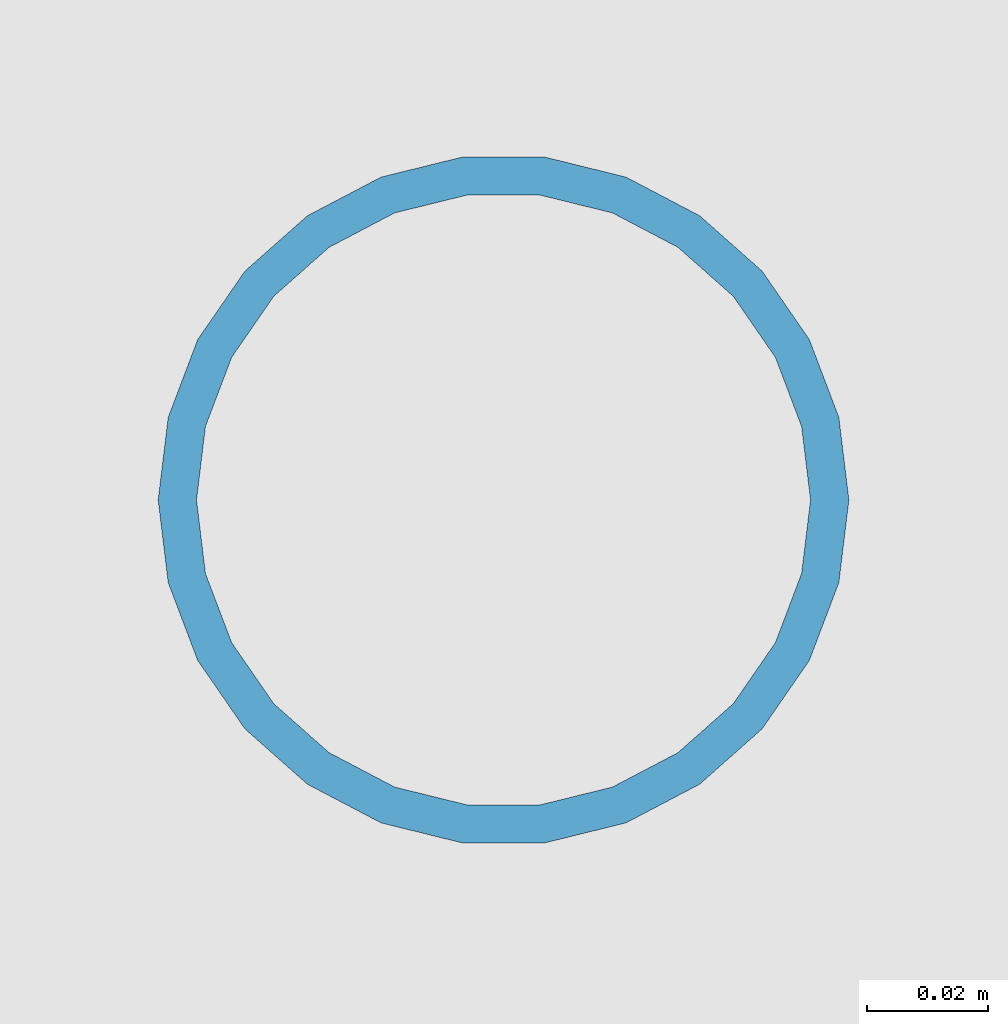
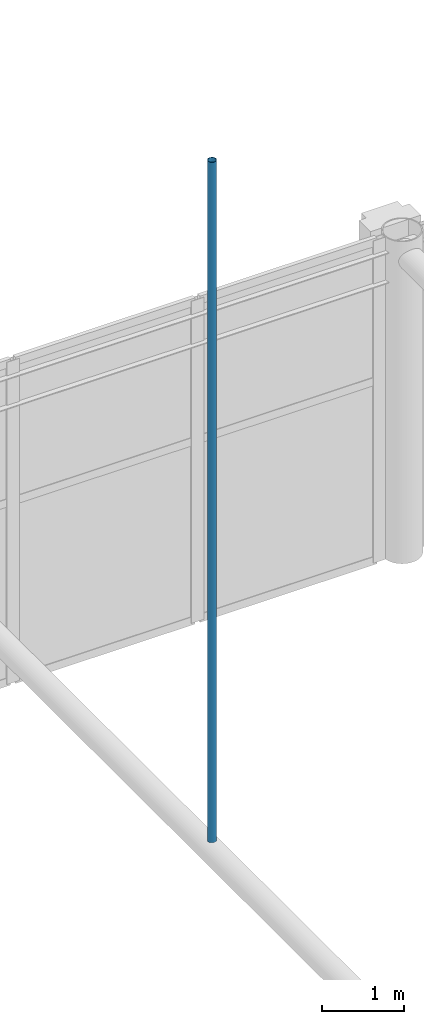
# One storey, part 84 of 167: 1 member.
"""IFC4 building model written with IfcOpenShell, lengths in metres."""

from ifc_helpers import new_model, si_unit, direction, frame, origin, origin_2d, place, context, subcontext, project, spatial, hollow_circle, extrude, material, material_profile, profile_set, type_object, element, save


model = new_model("IFC4")

# Units and contexts
model_context = context("Model", 3, precision=1e-05, world=origin(), true_north=direction((0.0, 1.0)))
body_context = subcontext(model_context, "Body", "Model", "MODEL_VIEW")
ifc_project = project(units=[si_unit("LENGTHUNIT", "METRE"), si_unit("AREAUNIT", "SQUARE_METRE"), si_unit("VOLUMEUNIT", "CUBIC_METRE"), si_unit("PLANEANGLEUNIT", "RADIAN"), si_unit("MASSUNIT", "GRAM", prefix="KILO")], contexts=[model_context])

# Site, building, storey
site_placement = place(None, origin())
site = spatial("IfcSite", under=ifc_project, at=site_placement, CompositionType="ELEMENT")
building_placement = place(site_placement, origin())
building = spatial("IfcBuilding", under=site, at=building_placement, Name="Catenary Quay Ferry Terminal", CompositionType="ELEMENT")
storey_placement = place(building_placement, frame((0.0, 0.0, 6.0)))
storey = spatial("IfcBuildingStorey", under=building, at=storey_placement, Name="L01", CompositionType="ELEMENT", Elevation=6.0)

# Member
ifc_material = material(Name="Steel S355", Category="steel")
ifc_material_profile = material_profile(ifc_material, hollow_circle(Radius=0.05712890625, WallThickness=0.00634765625, at=origin_2d()), Name="CHS 114.3x6.3")
ifc_profile_set = profile_set([ifc_material_profile], Name="Steel S355")
member_type = type_object("IfcMemberType", Name="HG1 CHS 114.3x6.3", PredefinedType="POST", material=ifc_profile_set)
member_placement = place(storey_placement, frame((67.199951171875, 132.889892578125, 4.654052734375), z_axis=(0.0, 0.0, 1.0), x_axis=(1.0, 0.0, 0.0)))
element("IfcMember", 1, at=member_placement, inside=storey, type_object=member_type, Name="Hanger VD-06-08", PredefinedType="POST", context=body_context, shape_type="SweptSolid", body=[
    extrude(hollow_circle(Radius=0.05712890625, WallThickness=0.00634765625, at=origin_2d()), origin(), (0.0, 0.0, 1.0), 10.137939453125),
])

save(model, "model.ifc")
